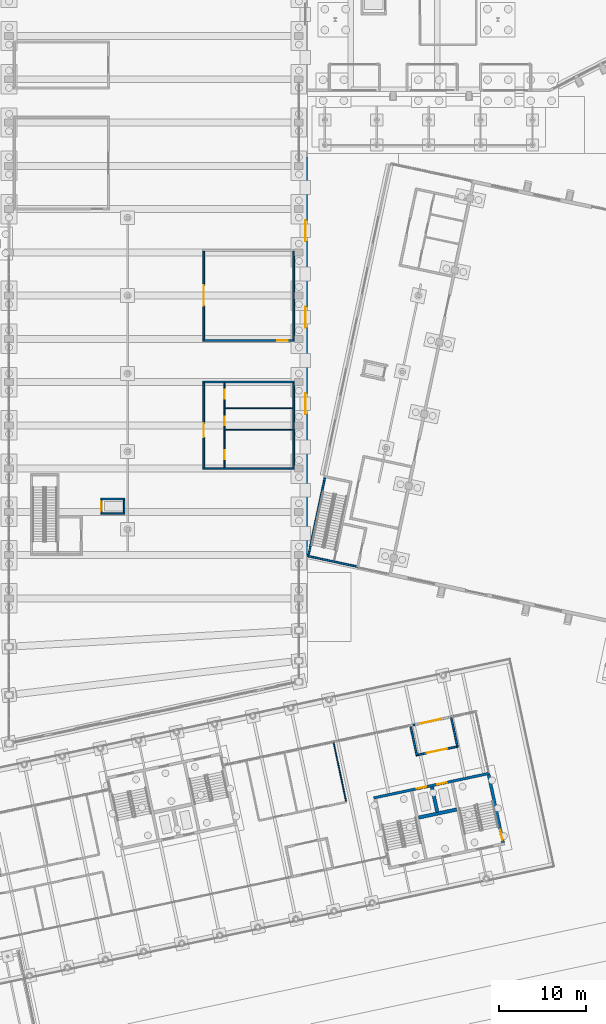
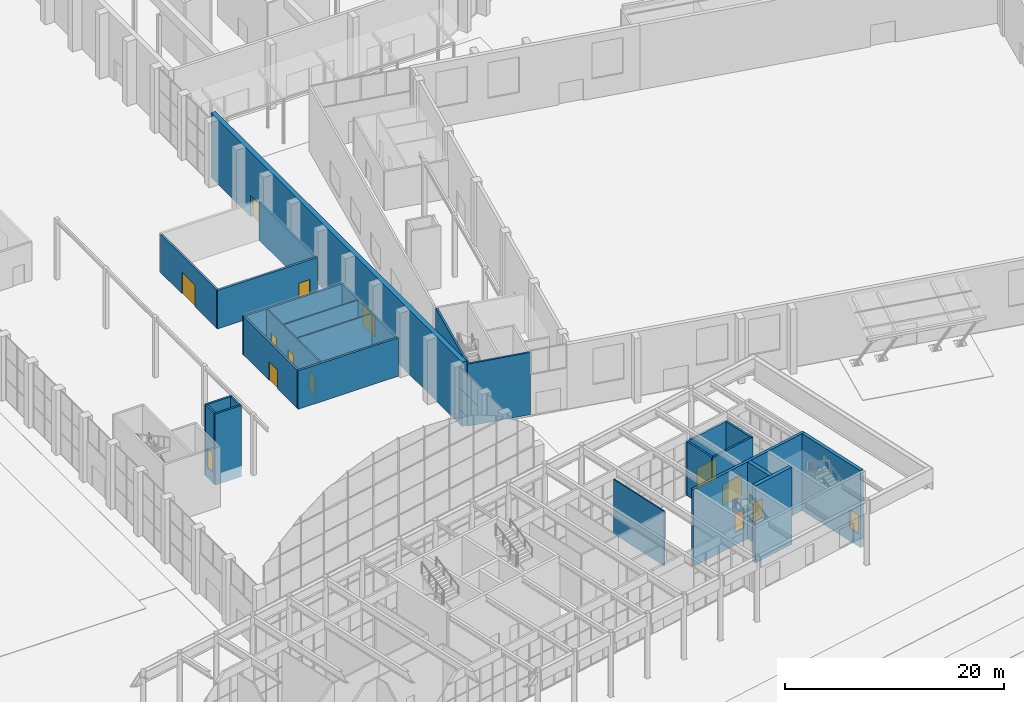
# One storey, part 174 of 239: 26 walls, 15 doors, 15 openings.
"""IFC4 building model written with IfcOpenShell, lengths in metres."""

from ifc_helpers import new_model, si_unit, direction, frame, frame_2d, origin, place, context, subcontext, project, spatial, rectangle, extrude, material, layer, layer_set, type_object, element, fill, save


model = new_model("IFC4")

# Units and contexts
model_context = context("Model", 3, precision=1e-05, world=origin(), true_north=direction((0.0, 1.0)))
body_context = subcontext(model_context, "Body", "Model", "MODEL_VIEW")
ifc_project = project(units=[si_unit("LENGTHUNIT", "METRE"), si_unit("AREAUNIT", "SQUARE_METRE"), si_unit("VOLUMEUNIT", "CUBIC_METRE"), si_unit("PLANEANGLEUNIT", "RADIAN"), si_unit("MASSUNIT", "GRAM", prefix="KILO")], contexts=[model_context])

# Site, building, storey
site_placement = place(None, origin())
site = spatial("IfcSite", under=ifc_project, at=site_placement, CompositionType="ELEMENT")
building_placement = place(site_placement, origin())
building = spatial("IfcBuilding", under=site, at=building_placement, Name="Okhra Congress Centre", CompositionType="ELEMENT")
storey_placement = place(building_placement, origin())
storey = spatial("IfcBuildingStorey", under=building, at=storey_placement, Name="L00", CompositionType="ELEMENT", Elevation=0.0)

# Wall, opening, door
ifc_material_1 = material(Name="Aluminium frame, triple glazing, laminated safety glass", Category="aluminium")
ifc_layer_1 = layer(ifc_material_1, 0.199951171875)
ifc_layer_set_1 = layer_set([ifc_layer_1], Name="Glazed entrance screen 200")
wall_type_1 = type_object("IfcWallType", Name="Glazed entrance screen 200", PredefinedType="SOLIDWALL", material=ifc_layer_set_1)
wall_1_placement = place(storey_placement, frame((201.800537109375, 76.287353515625, 0.0), z_axis=(0.0, 0.0, 1.0), x_axis=(0.978146935828, 0.207914818928, 0.0)))
wall_1 = element("IfcWall", 1, at=wall_1_placement, inside=storey, type_object=wall_type_1, Name="Entrance screen 6", PredefinedType="SOLIDWALL", context=body_context, shape_type="SweptSolid", body=[
    extrude(rectangle(XDim=5.0, YDim=0.199951171875, at=frame_2d((2.5, 0.0))), origin(), (0.0, 0.0, 1.0), 6.050048828125),
])
opening_1_placement = place(wall_1_placement, frame((1.300048828125, 0.0, 0.0)))
opening_1 = element("IfcOpeningElement", 2, at=opening_1_placement, cuts=wall_1, Name="Opening L00-291", PredefinedType="OPENING", context=body_context, shape_type="SweptSolid", body=[
    extrude(rectangle(XDim=2.39990234375, YDim=2.39990234375, at=frame_2d((1.199951171875, 1.199951171875))), frame((0.0, 0.10986328125, 0.0), z_axis=(0.0, -1.0, 0.0), x_axis=(1.0, 0.0, 0.0)), (0.0, 0.0, 1.0), 0.219970703125),
])
ifc_material_2 = material(Name="Aluminium-framed toughened glass sliding leaves, thermally broken", Category="aluminium")
door_type_1 = type_object("IfcDoorType", Name="Automatic sliding glazed door 2400x2400", OperationType="DOUBLE_DOOR_SLIDING", PredefinedType="DOOR", material=ifc_material_2)
door_1_placement = place(opening_1_placement, origin())
door_1 = element("IfcDoor", 3, at=door_1_placement, inside=storey, type_object=door_type_1, Name="Door L00-291", OperationType="DOUBLE_DOOR_SLIDING", OverallHeight=2.39990234375, OverallWidth=2.39990234375, PredefinedType="DOOR", context=body_context, shape_type="SweptSolid", body=[
    extrude(rectangle(XDim=2.39990234375, YDim=2.39990234375, at=frame_2d((1.199951171875, 1.199951171875))), frame((0.0, 0.02490234375, 0.0), z_axis=(0.0, -1.0, 0.0), x_axis=(1.0, 0.0, 0.0)), (0.0, 0.0, 1.0), 0.050048828125),
])
fill(opening_1, door_1)

ifc_layer_2 = layer(ifc_material_1, 0.199951171875)
ifc_layer_set_2 = layer_set([ifc_layer_2], Name="Glazed internal screen 200")
wall_type_2 = type_object("IfcWallType", Name="Glazed internal screen 200", PredefinedType="SOLIDWALL", material=ifc_layer_set_2)
wall_2_placement = place(storey_placement, frame((202.5283203125, 72.86376953125, 0.0), z_axis=(0.0, 0.0, 1.0), x_axis=(0.978146935828, 0.207914818928, 0.0)))
wall_2 = element("IfcWall", 4, at=wall_2_placement, inside=storey, type_object=wall_type_2, Name="Vestibule inner screen 6", PredefinedType="SOLIDWALL", context=body_context, shape_type="SweptSolid", body=[
    extrude(rectangle(XDim=5.0, YDim=0.199951171875, at=frame_2d((2.5, 0.0))), origin(), (0.0, 0.0, 1.0), 6.050048828125),
])
opening_2_placement = place(wall_2_placement, frame((1.300048828125, 0.0, 0.0)))
opening_2 = element("IfcOpeningElement", 5, at=opening_2_placement, cuts=wall_2, Name="Opening L00-292", PredefinedType="OPENING", context=body_context, shape_type="SweptSolid", body=[
    extrude(rectangle(XDim=2.39990234375, YDim=2.39990234375, at=frame_2d((1.199951171875, 1.199951171875))), frame((0.0, 0.10986328125, 0.0), z_axis=(0.0, -1.0, 0.0), x_axis=(1.0, 0.0, 0.0)), (0.0, 0.0, 1.0), 0.219970703125),
])
door_2_placement = place(opening_2_placement, frame((2.39990234375, 0.0, 0.0), z_axis=(0.0, 0.0, 1.0), x_axis=(-1.0, 0.0, 0.0)))
door_2 = element("IfcDoor", 6, at=door_2_placement, inside=storey, type_object=door_type_1, Name="Door L00-292", OperationType="DOUBLE_DOOR_SLIDING", OverallHeight=2.39990234375, OverallWidth=2.39990234375, PredefinedType="DOOR", context=body_context, shape_type="SweptSolid", body=[
    extrude(rectangle(XDim=2.39990234375, YDim=2.39990234375, at=frame_2d((1.199951171875, 1.199951171875))), frame((0.0, 0.02490234375, 0.0), z_axis=(0.0, -1.0, 0.0), x_axis=(1.0, 0.0, 0.0)), (0.0, 0.0, 1.0), 0.050048828125),
])
fill(opening_2, door_2)

# Walls
for number, where, z_axis, x_axis, name in (
    (7, (201.919189453125, 76.210205078125, 0.0), (0.0, 0.0, 1.0), (0.207881084728, -0.978154105758, 0.0), "Vestibule side screen 6a"),
    (8, (206.6142578125, 77.208251953125, 0.0), (0.0, 0.0, 1.0), (0.207881084728, -0.978154105758, 0.0), "Vestibule side screen 6b"),
):
    element("IfcWall", number, at=place(storey_placement, frame(where, z_axis=z_axis, x_axis=x_axis)), inside=storey, type_object=wall_type_2, Name=name, PredefinedType="SOLIDWALL", context=body_context, shape_type="SweptSolid", body=[
        extrude(rectangle(XDim=3.39990234375, YDim=0.199951171875, at=frame_2d((1.699951171875, 0.0))), origin(), (0.0, 0.0, 1.0), 6.050048828125),
    ])
ifc_material_3 = material(Name="Gypsum board on steel studs", Category="steel")
ifc_layer_3 = layer(ifc_material_3, 0.125)
ifc_layer_set_3 = layer_set([ifc_layer_3], Name="Partition 125")
wall_type_3 = type_object("IfcWallType", Name="Partition 125", PredefinedType="PARTITIONING", material=ifc_layer_set_3)
for number, where, z_axis, x_axis, name in (
    (9, (180.46240234375, 110.5, 0.0), (0.0, 0.0, 1.0), (1.0, 0.0, 0.0), "Women's WC partition"),
    (10, (180.46240234375, 113.0, 0.0), (0.0, 0.0, 1.0), (1.0, 0.0, 0.0), "Men's WC partition"),
):
    element("IfcWall", number, at=place(storey_placement, frame(where, z_axis=z_axis, x_axis=x_axis)), inside=storey, type_object=wall_type_3, Name=name, PredefinedType="PARTITIONING", context=body_context, shape_type="SweptSolid", body=[
        extrude(rectangle(XDim=7.837646484375, YDim=0.125, at=frame_2d((3.9189453125, 0.0))), origin(), (0.0, 0.0, 1.0), 4.300048828125),
    ])
wall_3_placement = place(storey_placement, frame((193.01806640625, 74.318115234375, 0.0), z_axis=(0.0, 0.0, 1.0), x_axis=(0.207898812171, -0.978150338086, 0.0)))
element("IfcWall", 11, at=wall_3_placement, inside=storey, type_object=wall_type_3, Name="Room side wall 7b", PredefinedType="PARTITIONING", context=body_context, shape_type="SweptSolid", body=[
    extrude(rectangle(XDim=6.925048828125, YDim=0.125, at=frame_2d((3.46240234375, 0.0))), origin(), (0.0, 0.0, 1.0), 6.10009765625),
])

# Wall, openings, doors
ifc_layer_4 = layer(ifc_material_3, 0.125)
ifc_layer_set_4 = layer_set([ifc_layer_4], Name="Partition 125 EI 15")
wall_type_4 = type_object("IfcWallType", Name="Partition 125 EI 15", PredefinedType="PARTITIONING", material=ifc_layer_set_4)
wall_4_placement = place(storey_placement, frame((180.39990234375, 106.10009765625, 0.0), z_axis=(0.0, 0.0, 1.0), x_axis=(0.0, 1.0, 0.0)))
wall_4 = element("IfcWall", 12, at=wall_4_placement, inside=storey, type_object=wall_type_4, Name="WC lobby partition", PredefinedType="PARTITIONING", context=body_context, shape_type="SweptSolid", body=[
    extrude(rectangle(XDim=9.7998046875, YDim=0.125, at=frame_2d((4.89990234375, 0.0))), origin(), (0.0, 0.0, 1.0), 4.300048828125),
])
opening_3_placement = place(wall_4_placement, frame((1.0, 0.0, 0.0)))
opening_3 = element("IfcOpeningElement", 13, at=opening_3_placement, cuts=wall_4, Name="Opening L00-094", PredefinedType="OPENING", context=body_context, shape_type="SweptSolid", body=[
    extrude(rectangle(XDim=1.0, YDim=2.10009765625, at=frame_2d((0.5, 1.050048828125))), frame((0.0, 0.072509765625, 0.0), z_axis=(0.0, -1.0, 0.0), x_axis=(1.0, 0.0, 0.0)), (0.0, 0.0, 1.0), 0.14501953125),
])
opening_4_placement = place(wall_4_placement, frame((4.89990234375, 0.0, 0.0)))
opening_4 = element("IfcOpeningElement", 14, at=opening_4_placement, cuts=wall_4, Name="Opening L00-095", PredefinedType="OPENING", context=body_context, shape_type="SweptSolid", body=[
    extrude(rectangle(XDim=1.0, YDim=2.10009765625, at=frame_2d((0.5, 1.050048828125))), frame((0.0, 0.072509765625, 0.0), z_axis=(0.0, -1.0, 0.0), x_axis=(1.0, 0.0, 0.0)), (0.0, 0.0, 1.0), 0.14501953125),
])
opening_5_placement = place(wall_4_placement, frame((8.0, 0.0, 0.0)))
opening_5 = element("IfcOpeningElement", 15, at=opening_5_placement, cuts=wall_4, Name="Opening L00-096", PredefinedType="OPENING", context=body_context, shape_type="SweptSolid", body=[
    extrude(rectangle(XDim=1.0, YDim=2.10009765625, at=frame_2d((0.5, 1.050048828125))), frame((0.0, 0.072509765625, 0.0), z_axis=(0.0, -1.0, 0.0), x_axis=(1.0, 0.0, 0.0)), (0.0, 0.0, 1.0), 0.14501953125),
])
ifc_material_4 = material(Name="Timber door leaf in steel frame", Category="steel")
door_type_2 = type_object("IfcDoorType", Name="Single swing door 1000x2100", OperationType="NOTDEFINED", PredefinedType="DOOR", material=ifc_material_4)
door_3_placement = place(opening_3_placement, frame((1.0, 0.0, 0.0), z_axis=(0.0, 0.0, 1.0), x_axis=(-1.0, 0.0, 0.0)))
door_3 = element("IfcDoor", 16, at=door_3_placement, inside=storey, type_object=door_type_2, Name="Women's WC door", OperationType="SINGLE_SWING_RIGHT", OverallHeight=2.10009765625, OverallWidth=1.0, PredefinedType="DOOR", context=body_context, shape_type="SweptSolid", body=[
    extrude(rectangle(XDim=1.0, YDim=2.10009765625, at=frame_2d((0.5, 1.050048828125))), frame((0.0, 0.02490234375, 0.0), z_axis=(0.0, -1.0, 0.0), x_axis=(1.0, 0.0, 0.0)), (0.0, 0.0, 1.0), 0.050048828125),
])
fill(opening_3, door_3)
door_4_placement = place(opening_4_placement, frame((1.0, 0.0, 0.0), z_axis=(0.0, 0.0, 1.0), x_axis=(-1.0, 0.0, 0.0)))
door_4 = element("IfcDoor", 17, at=door_4_placement, inside=storey, type_object=door_type_2, Name="Men's WC door", OperationType="SINGLE_SWING_RIGHT", OverallHeight=2.10009765625, OverallWidth=1.0, PredefinedType="DOOR", context=body_context, shape_type="SweptSolid", body=[
    extrude(rectangle(XDim=1.0, YDim=2.10009765625, at=frame_2d((0.5, 1.050048828125))), frame((0.0, 0.02490234375, 0.0), z_axis=(0.0, -1.0, 0.0), x_axis=(1.0, 0.0, 0.0)), (0.0, 0.0, 1.0), 0.050048828125),
])
fill(opening_4, door_4)
door_5_placement = place(opening_5_placement, frame((1.0, 0.0, 0.0), z_axis=(0.0, 0.0, 1.0), x_axis=(-1.0, 0.0, 0.0)))
door_5 = element("IfcDoor", 18, at=door_5_placement, inside=storey, type_object=door_type_2, Name="Accessible WC door", OperationType="SINGLE_SWING_LEFT", OverallHeight=2.10009765625, OverallWidth=1.0, PredefinedType="DOOR", context=body_context, shape_type="SweptSolid", body=[
    extrude(rectangle(XDim=1.0, YDim=2.10009765625, at=frame_2d((0.5, 1.050048828125))), frame((0.0, 0.02490234375, 0.0), z_axis=(0.0, -1.0, 0.0), x_axis=(1.0, 0.0, 0.0)), (0.0, 0.0, 1.0), 0.050048828125),
])
fill(opening_5, door_5)

ifc_material_5 = material(Name="Concrete C35/45", Category="concrete")
ifc_layer_5 = layer(ifc_material_5, 0.300048828125)
ifc_layer_set_5 = layer_set([ifc_layer_5], Name="RC core wall 300 REI 120 C35/45")
wall_type_5 = type_object("IfcWallType", Name="RC core wall 300 REI 120 C35/45", PredefinedType="SHEAR", material=ifc_layer_set_5)
wall_5_placement = place(storey_placement, frame((197.64501953125, 67.94091796875, -1.39990234375), z_axis=(0.0, 0.0, 1.0), x_axis=(0.978147662755, 0.20791139903, 0.0)))
wall_5 = element("IfcWall", 19, at=wall_5_placement, inside=storey, type_object=wall_type_5, Name="BX.WALL.L00.K5T", PredefinedType="SHEAR", context=body_context, shape_type="SweptSolid", body=[
    extrude(rectangle(XDim=13.699951171875, YDim=0.300048828125, at=frame_2d((6.85009765625, 0.0))), origin(), (0.0, 0.0, 1.0), 8.599853515625),
])
opening_6_placement = place(wall_5_placement, frame((5.10009765625, 0.0, 1.39990234375)))
opening_6 = element("IfcOpeningElement", 20, at=opening_6_placement, cuts=wall_5, Name="Opening L00-274", PredefinedType="OPENING", context=body_context, shape_type="SweptSolid", body=[
    extrude(rectangle(XDim=1.10009765625, YDim=2.10009765625, at=frame_2d((0.550048828125, 1.050048828125))), frame((0.0, 0.159912109375, 0.0), z_axis=(0.0, -1.0, 0.0), x_axis=(1.0, 0.0, 0.0)), (0.0, 0.0, 1.0), 0.320068359375),
])
opening_7_placement = place(wall_5_placement, frame((7.5, 0.0, 1.39990234375)))
opening_7 = element("IfcOpeningElement", 21, at=opening_7_placement, cuts=wall_5, Name="Opening L00-275", PredefinedType="OPENING", context=body_context, shape_type="SweptSolid", body=[
    extrude(rectangle(XDim=1.10009765625, YDim=2.10009765625, at=frame_2d((0.550048828125, 1.050048828125))), frame((0.0, 0.159912109375, 0.0), z_axis=(0.0, -1.0, 0.0), x_axis=(1.0, 0.0, 0.0)), (0.0, 0.0, 1.0), 0.320068359375),
])
ifc_material_6 = material(Name="Stainless steel sliding landing door leaves", Category="steel")
door_type_3 = type_object("IfcDoorType", Name="Lift landing door 1100x2100 EI 30", OperationType="DOUBLE_DOOR_SLIDING", PredefinedType="DOOR", material=ifc_material_6)
door_6_placement = place(opening_6_placement, origin())
door_6 = element("IfcDoor", 22, at=door_6_placement, inside=storey, type_object=door_type_3, Name="Door L00-274", OperationType="DOUBLE_DOOR_SLIDING", OverallHeight=2.10009765625, OverallWidth=1.10009765625, PredefinedType="DOOR", context=body_context, shape_type="SweptSolid", body=[
    extrude(rectangle(XDim=1.10009765625, YDim=2.10009765625, at=frame_2d((0.550048828125, 1.050048828125))), frame((0.0, 0.02490234375, 0.0), z_axis=(0.0, -1.0, 0.0), x_axis=(1.0, 0.0, 0.0)), (0.0, 0.0, 1.0), 0.050048828125),
])
fill(opening_6, door_6)
door_7_placement = place(opening_7_placement, origin())
door_7 = element("IfcDoor", 23, at=door_7_placement, inside=storey, type_object=door_type_3, Name="Door L00-275", OperationType="DOUBLE_DOOR_SLIDING", OverallHeight=2.10009765625, OverallWidth=1.10009765625, PredefinedType="DOOR", context=body_context, shape_type="SweptSolid", body=[
    extrude(rectangle(XDim=1.10009765625, YDim=2.10009765625, at=frame_2d((0.550048828125, 1.050048828125))), frame((0.0, 0.02490234375, 0.0), z_axis=(0.0, -1.0, 0.0), x_axis=(1.0, 0.0, 0.0)), (0.0, 0.0, 1.0), 0.050048828125),
])
fill(opening_7, door_7)

# Walls
ifc_layer_6 = layer(ifc_material_5, 0.39990234375)
ifc_layer_set_6 = layer_set([ifc_layer_6], Name="RC core wall 400 REI 120 C35/45")
wall_type_6 = type_object("IfcWallType", Name="RC core wall 400 REI 120 C35/45", PredefinedType="SHEAR", material=ifc_layer_set_6)
wall_6_placement = place(storey_placement, frame((205.000244140625, 66.283935546875, -1.39990234375), z_axis=(0.0, 0.0, 1.0), x_axis=(-0.207933702079, 0.978142921837, 0.0)))
element("IfcWall", 24, at=wall_6_placement, inside=storey, type_object=wall_type_6, Name="BX.WALL.L00.K5D", PredefinedType="SHEAR", context=body_context, shape_type="SweptSolid", body=[
    extrude(rectangle(XDim=3.0, YDim=0.39990234375, at=frame_2d((1.5, 0.0))), origin(), (0.0, 0.0, 1.0), 8.599853515625),
])
wall_7_placement = place(storey_placement, frame((202.83056640625, 65.66943359375, -1.39990234375), z_axis=(0.0, 0.0, 1.0), x_axis=(0.978149611564, 0.20790223038, 0.0)))
element("IfcWall", 25, at=wall_7_placement, inside=storey, type_object=wall_type_6, Name="BX.WALL.L00.K5R", PredefinedType="SHEAR", context=body_context, shape_type="SweptSolid", body=[
    extrude(rectangle(XDim=4.5, YDim=0.39990234375, at=frame_2d((2.25, 0.0))), origin(), (0.0, 0.0, 1.0), 8.599853515625),
])

# Wall, openings, doors
ifc_material_7 = material(Name="Concrete C30/37", Category="concrete")
ifc_layer_7 = layer(ifc_material_7, 0.5)
ifc_layer_set_7 = layer_set([ifc_layer_7], Name="RC fire wall 500 REI 150 C30/37")
wall_type_7 = type_object("IfcWallType", Name="RC fire wall 500 REI 150 C30/37", PredefinedType="SOLIDWALL", material=ifc_layer_set_7)
wall_8_placement = place(storey_placement, frame((189.75, 96.0, 0.0), z_axis=(0.0, 0.0, 1.0), x_axis=(0.0, 1.0, 0.0)))
wall_8 = element("IfcWall", 26, at=wall_8_placement, inside=storey, type_object=wall_type_7, Name="Fire wall to the ballroom foyer", PredefinedType="SOLIDWALL", context=body_context, shape_type="SweptSolid", body=[
    extrude(rectangle(XDim=46.0, YDim=0.5, at=frame_2d((23.0, 0.0))), origin(), (0.0, 0.0, 1.0), 7.199951171875),
])
opening_8_placement = place(wall_8_placement, frame((16.300048828125, 0.0, 0.0)))
opening_8 = element("IfcOpeningElement", 27, at=opening_8_placement, cuts=wall_8, Name="Opening L00-085", PredefinedType="OPENING", context=body_context, shape_type="SweptSolid", body=[
    extrude(rectangle(XDim=2.39990234375, YDim=2.39990234375, at=frame_2d((1.199951171875, 1.199951171875))), frame((0.0, 0.260009765625, 0.0), z_axis=(0.0, -1.0, 0.0), x_axis=(1.0, 0.0, 0.0)), (0.0, 0.0, 1.0), 0.52001953125),
])
opening_9_placement = place(wall_8_placement, frame((26.300048828125, 0.0, 0.0)))
opening_9 = element("IfcOpeningElement", 28, at=opening_9_placement, cuts=wall_8, Name="Opening L00-086", PredefinedType="OPENING", context=body_context, shape_type="SweptSolid", body=[
    extrude(rectangle(XDim=2.39990234375, YDim=2.39990234375, at=frame_2d((1.199951171875, 1.199951171875))), frame((0.0, 0.260009765625, 0.0), z_axis=(0.0, -1.0, 0.0), x_axis=(1.0, 0.0, 0.0)), (0.0, 0.0, 1.0), 0.52001953125),
])
opening_10_placement = place(wall_8_placement, frame((36.300048828125, 0.0, 0.0)))
opening_10 = element("IfcOpeningElement", 29, at=opening_10_placement, cuts=wall_8, Name="Opening L00-087", PredefinedType="OPENING", context=body_context, shape_type="SweptSolid", body=[
    extrude(rectangle(XDim=2.39990234375, YDim=2.39990234375, at=frame_2d((1.199951171875, 1.199951171875))), frame((0.0, 0.260009765625, 0.0), z_axis=(0.0, -1.0, 0.0), x_axis=(1.0, 0.0, 0.0)), (0.0, 0.0, 1.0), 0.52001953125),
])
ifc_material_8 = material(Name="Steel fire door leaves in steel frame, intumescent seals", Category="steel")
door_type_4 = type_object("IfcDoorType", Name="Steel fire door pair 2400x2400 EI 60", OperationType="NOTDEFINED", PredefinedType="DOOR", material=ifc_material_8)
door_8_placement = place(opening_8_placement, origin())
door_8 = element("IfcDoor", 30, at=door_8_placement, inside=storey, type_object=door_type_4, Name="Fire doors to the ballroom foyer", OperationType="DOUBLE_DOOR_SINGLE_SWING", OverallHeight=2.39990234375, OverallWidth=2.39990234375, PredefinedType="DOOR", context=body_context, shape_type="SweptSolid", body=[
    extrude(rectangle(XDim=2.39990234375, YDim=2.39990234375, at=frame_2d((1.199951171875, 1.199951171875))), frame((0.0, 0.02490234375, 0.0), z_axis=(0.0, -1.0, 0.0), x_axis=(1.0, 0.0, 0.0)), (0.0, 0.0, 1.0), 0.050048828125),
])
fill(opening_8, door_8)
door_9_placement = place(opening_9_placement, origin())
door_9 = element("IfcDoor", 31, at=door_9_placement, inside=storey, type_object=door_type_4, Name="Fire doors to the ballroom foyer", OperationType="DOUBLE_DOOR_SINGLE_SWING", OverallHeight=2.39990234375, OverallWidth=2.39990234375, PredefinedType="DOOR", context=body_context, shape_type="SweptSolid", body=[
    extrude(rectangle(XDim=2.39990234375, YDim=2.39990234375, at=frame_2d((1.199951171875, 1.199951171875))), frame((0.0, 0.02490234375, 0.0), z_axis=(0.0, -1.0, 0.0), x_axis=(1.0, 0.0, 0.0)), (0.0, 0.0, 1.0), 0.050048828125),
])
fill(opening_9, door_9)
door_10_placement = place(opening_10_placement, origin())
door_10 = element("IfcDoor", 32, at=door_10_placement, inside=storey, type_object=door_type_4, Name="Fire doors to the ballroom foyer", OperationType="DOUBLE_DOOR_SINGLE_SWING", OverallHeight=2.39990234375, OverallWidth=2.39990234375, PredefinedType="DOOR", context=body_context, shape_type="SweptSolid", body=[
    extrude(rectangle(XDim=2.39990234375, YDim=2.39990234375, at=frame_2d((1.199951171875, 1.199951171875))), frame((0.0, 0.02490234375, 0.0), z_axis=(0.0, -1.0, 0.0), x_axis=(1.0, 0.0, 0.0)), (0.0, 0.0, 1.0), 0.050048828125),
])
fill(opening_10, door_10)

# Walls
ifc_layer_8 = layer(ifc_material_7, 0.199951171875)
ifc_layer_set_8 = layer_set([ifc_layer_8], Name="RC wall 200 REI 120 C30/37")
wall_type_8 = type_object("IfcWallType", Name="RC wall 200 REI 120 C30/37", PredefinedType="SOLIDWALL", material=ifc_layer_set_8)
for number, where, z_axis, x_axis, name in (
    (33, (177.89990234375, 106.0, 0.0), (0.0, 0.0, 1.0), (1.0, 0.0, 0.0), "WC block south wall"),
    (34, (177.89990234375, 116.0, 0.0), (0.0, 0.0, 1.0), (1.0, 0.0, 0.0), "WC block north wall"),
):
    element("IfcWall", number, at=place(storey_placement, frame(where, z_axis=z_axis, x_axis=x_axis)), inside=storey, type_object=wall_type_8, Name=name, PredefinedType="SOLIDWALL", context=body_context, shape_type="SweptSolid", body=[
        extrude(rectangle(XDim=10.60009765625, YDim=0.199951171875, at=frame_2d((5.300048828125, 0.0))), origin(), (0.0, 0.0, 1.0), 4.300048828125),
    ])

# Wall, opening, door
wall_9_placement = place(storey_placement, frame((178.0, 106.10009765625, 0.0), z_axis=(0.0, 0.0, 1.0), x_axis=(0.0, 1.0, 0.0)))
wall_9 = element("IfcWall", 35, at=wall_9_placement, inside=storey, type_object=wall_type_8, Name="WC block west wall", PredefinedType="SOLIDWALL", context=body_context, shape_type="SweptSolid", body=[
    extrude(rectangle(XDim=9.7998046875, YDim=0.199951171875, at=frame_2d((4.89990234375, 0.0))), origin(), (0.0, 0.0, 1.0), 4.300048828125),
])
opening_11_placement = place(wall_9_placement, frame((3.550048828125, 0.0, 0.0)))
opening_11 = element("IfcOpeningElement", 36, at=opening_11_placement, cuts=wall_9, Name="Opening L00-093", PredefinedType="OPENING", context=body_context, shape_type="SweptSolid", body=[
    extrude(rectangle(XDim=1.60009765625, YDim=2.10009765625, at=frame_2d((0.800048828125, 1.050048828125))), frame((0.0, 0.10986328125, 0.0), z_axis=(0.0, -1.0, 0.0), x_axis=(1.0, 0.0, 0.0)), (0.0, 0.0, 1.0), 0.219970703125),
])
ifc_material_9 = material(Name="Timber door leaves in steel frame", Category="steel")
door_type_5 = type_object("IfcDoorType", Name="Double swing door 1600x2100 EI 30", OperationType="NOTDEFINED", PredefinedType="DOOR", material=ifc_material_9)
door_11_placement = place(opening_11_placement, origin())
door_11 = element("IfcDoor", 37, at=door_11_placement, inside=storey, type_object=door_type_5, Name="WC lobby doors", OperationType="DOUBLE_DOOR_SINGLE_SWING", OverallHeight=2.10009765625, OverallWidth=1.60009765625, PredefinedType="DOOR", context=body_context, shape_type="SweptSolid", body=[
    extrude(rectangle(XDim=1.60009765625, YDim=2.10009765625, at=frame_2d((0.800048828125, 1.050048828125))), frame((0.0, 0.02490234375, 0.0), z_axis=(0.0, -1.0, 0.0), x_axis=(1.0, 0.0, 0.0)), (0.0, 0.0, 1.0), 0.050048828125),
])
fill(opening_11, door_11)

# Wall
wall_10_placement = place(storey_placement, frame((188.39990234375, 106.10009765625, 0.0), z_axis=(0.0, 0.0, 1.0), x_axis=(0.0, 1.0, 0.0)))
element("IfcWall", 38, at=wall_10_placement, inside=storey, type_object=wall_type_8, Name="WC block east wall", PredefinedType="SOLIDWALL", context=body_context, shape_type="SweptSolid", body=[
    extrude(rectangle(XDim=9.7998046875, YDim=0.199951171875, at=frame_2d((4.89990234375, 0.0))), origin(), (0.0, 0.0, 1.0), 4.300048828125),
])

# Wall, opening, door
wall_11_placement = place(storey_placement, frame((177.89990234375, 120.800048828125, 0.0), z_axis=(0.0, 0.0, 1.0), x_axis=(1.0, 0.0, 0.0)))
wall_11 = element("IfcWall", 39, at=wall_11_placement, inside=storey, type_object=wall_type_8, Name="Cafe east south wall", PredefinedType="SOLIDWALL", context=body_context, shape_type="SweptSolid", body=[
    extrude(rectangle(XDim=10.60009765625, YDim=0.199951171875, at=frame_2d((5.300048828125, 0.0))), origin(), (0.0, 0.0, 1.0), 4.300048828125),
])
opening_12_placement = place(wall_11_placement, frame((8.60009765625, 0.0, 0.0)))
opening_12 = element("IfcOpeningElement", 40, at=opening_12_placement, cuts=wall_11, Name="Opening L00-098", PredefinedType="OPENING", context=body_context, shape_type="SweptSolid", body=[
    extrude(rectangle(XDim=1.199951171875, YDim=2.10009765625, at=frame_2d((0.60009765625, 1.050048828125))), frame((0.0, 0.10986328125, 0.0), z_axis=(0.0, -1.0, 0.0), x_axis=(1.0, 0.0, 0.0)), (0.0, 0.0, 1.0), 0.219970703125),
])
door_type_6 = type_object("IfcDoorType", Name="Single swing door 1200x2100", OperationType="NOTDEFINED", PredefinedType="DOOR", material=ifc_material_4)
door_12_placement = place(opening_12_placement, frame((1.199951171875, 0.0, 0.0), z_axis=(0.0, 0.0, 1.0), x_axis=(-1.0, 0.0, 0.0)))
door_12 = element("IfcDoor", 41, at=door_12_placement, inside=storey, type_object=door_type_6, Name="Winter Garden Cafe 1 staff door", OperationType="SINGLE_SWING_LEFT", OverallHeight=2.10009765625, OverallWidth=1.199951171875, PredefinedType="DOOR", context=body_context, shape_type="SweptSolid", body=[
    extrude(rectangle(XDim=1.199951171875, YDim=2.10009765625, at=frame_2d((0.60009765625, 1.050048828125))), frame((0.0, 0.02490234375, 0.0), z_axis=(0.0, -1.0, 0.0), x_axis=(1.0, 0.0, 0.0)), (0.0, 0.0, 1.0), 0.050048828125),
])
fill(opening_12, door_12)

wall_12_placement = place(storey_placement, frame((178.0, 120.89990234375, 0.0), z_axis=(0.0, 0.0, 1.0), x_axis=(0.0, 1.0, 0.0)))
wall_12 = element("IfcWall", 42, at=wall_12_placement, inside=storey, type_object=wall_type_8, Name="Cafe east west wall", PredefinedType="SOLIDWALL", context=body_context, shape_type="SweptSolid", body=[
    extrude(rectangle(XDim=10.2001953125, YDim=0.199951171875, at=frame_2d((5.10009765625, 0.0))), origin(), (0.0, 0.0, 1.0), 4.300048828125),
])
opening_13_placement = place(wall_12_placement, frame((3.89990234375, 0.0, 0.0)))
opening_13 = element("IfcOpeningElement", 43, at=opening_13_placement, cuts=wall_12, Name="Opening L00-097", PredefinedType="OPENING", context=body_context, shape_type="SweptSolid", body=[
    extrude(rectangle(XDim=2.39990234375, YDim=2.39990234375, at=frame_2d((1.199951171875, 1.199951171875))), frame((0.0, 0.10986328125, 0.0), z_axis=(0.0, -1.0, 0.0), x_axis=(1.0, 0.0, 0.0)), (0.0, 0.0, 1.0), 0.219970703125),
])
ifc_material_10 = material(Name="Aluminium-framed toughened glass door leaves", Category="aluminium")
door_type_7 = type_object("IfcDoorType", Name="Aluminium glazed door pair 2400x2400", OperationType="NOTDEFINED", PredefinedType="DOOR", material=ifc_material_10)
door_13_placement = place(opening_13_placement, origin())
door_13 = element("IfcDoor", 44, at=door_13_placement, inside=storey, type_object=door_type_7, Name="Winter Garden Cafe 1 entrance", OperationType="DOUBLE_DOOR_SINGLE_SWING", OverallHeight=2.39990234375, OverallWidth=2.39990234375, PredefinedType="DOOR", context=body_context, shape_type="SweptSolid", body=[
    extrude(rectangle(XDim=2.39990234375, YDim=2.39990234375, at=frame_2d((1.199951171875, 1.199951171875))), frame((0.0, 0.02490234375, 0.0), z_axis=(0.0, -1.0, 0.0), x_axis=(1.0, 0.0, 0.0)), (0.0, 0.0, 1.0), 0.050048828125),
])
fill(opening_13, door_13)

# Walls
wall_13_placement = place(storey_placement, frame((188.39990234375, 120.89990234375, 0.0), z_axis=(0.0, 0.0, 1.0), x_axis=(0.0, 1.0, 0.0)))
element("IfcWall", 45, at=wall_13_placement, inside=storey, type_object=wall_type_8, Name="Cafe east east wall", PredefinedType="SOLIDWALL", context=body_context, shape_type="SweptSolid", body=[
    extrude(rectangle(XDim=10.2001953125, YDim=0.199951171875, at=frame_2d((5.10009765625, 0.0))), origin(), (0.0, 0.0, 1.0), 4.300048828125),
])
wall_14_placement = place(storey_placement, frame((166.10009765625, 100.800048828125, -1.199951171875), z_axis=(0.0, 0.0, 1.0), x_axis=(1.0, 0.0, 0.0)))
element("IfcWall", 46, at=wall_14_placement, inside=storey, type_object=wall_type_8, Name="Gallery lift shaft south wall", PredefinedType="SOLIDWALL", context=body_context, shape_type="SweptSolid", body=[
    extrude(rectangle(XDim=2.7998046875, YDim=0.199951171875, at=frame_2d((1.39990234375, 0.0))), origin(), (0.0, 0.0, 1.0), 7.949951171875),
])

# Wall, opening, door
wall_15_placement = place(storey_placement, frame((166.199951171875, 100.89990234375, -1.199951171875), z_axis=(0.0, 0.0, 1.0), x_axis=(0.0, 1.0, 0.0)))
wall_15 = element("IfcWall", 47, at=wall_15_placement, inside=storey, type_object=wall_type_8, Name="Gallery lift shaft landing wall", PredefinedType="SOLIDWALL", context=body_context, shape_type="SweptSolid", body=[
    extrude(rectangle(XDim=1.5, YDim=0.199951171875, at=frame_2d((0.75, 0.0))), origin(), (0.0, 0.0, 1.0), 7.949951171875),
])
opening_14_placement = place(wall_15_placement, frame((0.25, 0.0, 1.199951171875)))
opening_14 = element("IfcOpeningElement", 48, at=opening_14_placement, cuts=wall_15, Name="Opening L00-104", PredefinedType="OPENING", context=body_context, shape_type="SweptSolid", body=[
    extrude(rectangle(XDim=1.0, YDim=2.10009765625, at=frame_2d((0.5, 1.050048828125))), frame((0.0, 0.10986328125, 0.0), z_axis=(0.0, -1.0, 0.0), x_axis=(1.0, 0.0, 0.0)), (0.0, 0.0, 1.0), 0.219970703125),
])
door_type_8 = type_object("IfcDoorType", Name="Lift landing door 1000x2100 EI 30", OperationType="DOUBLE_DOOR_SLIDING", PredefinedType="DOOR", material=ifc_material_6)
door_14_placement = place(opening_14_placement, origin())
door_14 = element("IfcDoor", 49, at=door_14_placement, inside=storey, type_object=door_type_8, Name="Gallery lift landing door", OperationType="DOUBLE_DOOR_SLIDING", OverallHeight=2.10009765625, OverallWidth=1.0, PredefinedType="DOOR", context=body_context, shape_type="SweptSolid", body=[
    extrude(rectangle(XDim=1.0, YDim=2.10009765625, at=frame_2d((0.5, 1.050048828125))), frame((0.0, 0.02490234375, 0.0), z_axis=(0.0, -1.0, 0.0), x_axis=(1.0, 0.0, 0.0)), (0.0, 0.0, 1.0), 0.050048828125),
])
fill(opening_14, door_14)

# Walls
wall_16_placement = place(storey_placement, frame((166.10009765625, 102.5, -1.199951171875), z_axis=(0.0, 0.0, 1.0), x_axis=(1.0, 0.0, 0.0)))
element("IfcWall", 50, at=wall_16_placement, inside=storey, type_object=wall_type_8, Name="Gallery lift shaft north wall", PredefinedType="SOLIDWALL", context=body_context, shape_type="SweptSolid", body=[
    extrude(rectangle(XDim=2.7998046875, YDim=0.199951171875, at=frame_2d((1.39990234375, 0.0))), origin(), (0.0, 0.0, 1.0), 7.949951171875),
])
wall_17_placement = place(storey_placement, frame((168.800048828125, 100.89990234375, -1.199951171875), z_axis=(0.0, 0.0, 1.0), x_axis=(0.0, 1.0, 0.0)))
element("IfcWall", 51, at=wall_17_placement, inside=storey, type_object=wall_type_8, Name="Gallery lift shaft east wall", PredefinedType="SOLIDWALL", context=body_context, shape_type="SweptSolid", body=[
    extrude(rectangle(XDim=1.5, YDim=0.199951171875, at=frame_2d((0.75, 0.0))), origin(), (0.0, 0.0, 1.0), 7.949951171875),
])
wall_18_placement = place(storey_placement, frame((189.979248046875, 95.902099609375, 0.0), z_axis=(0.0, 0.0, 1.0), x_axis=(0.978148901478, -0.207905571204, 0.0)))
element("IfcWall", 52, at=wall_18_placement, inside=storey, type_object=wall_type_8, Name="Gallery stair cell and lobby south wall L00", PredefinedType="SOLIDWALL", context=body_context, shape_type="SweptSolid", body=[
    extrude(rectangle(XDim=6.0498046875, YDim=0.199951171875, at=frame_2d((3.02490234375, 0.0))), origin(), (0.0, 0.0, 1.0), 6.949951171875),
])
wall_19_placement = place(storey_placement, frame((190.076904296875, 95.88134765625, 0.0), z_axis=(0.0, 0.0, 1.0), x_axis=(0.207909931549, 0.978147974676, 0.0)))
element("IfcWall", 53, at=wall_19_placement, inside=storey, type_object=wall_type_8, Name="Gallery stair cell west wall L00", PredefinedType="SOLIDWALL", context=body_context, shape_type="SweptSolid", body=[
    extrude(rectangle(XDim=9.300048828125, YDim=0.199951171875, at=frame_2d((4.64990234375, 0.0))), origin(), (0.0, 0.0, 1.0), 6.949951171875),
])

# Wall, opening, door
ifc_layer_9 = layer(ifc_material_7, 0.35009765625)
ifc_layer_set_9 = layer_set([ifc_layer_9], Name="RC wall 350 REI 120 C30/37")
wall_type_9 = type_object("IfcWallType", Name="RC wall 350 REI 120 C30/37", PredefinedType="SOLIDWALL", material=ifc_layer_set_9)
wall_20_placement = place(storey_placement, frame((212.593505859375, 62.7861328125, -1.39990234375), z_axis=(0.0, 0.0, 1.0), x_axis=(-0.207915693476, 0.978146749934, 0.0)))
wall_20 = element("IfcWall", 54, at=wall_20_placement, inside=storey, type_object=wall_type_9, Name="BX.WALL.L00.K5E", PredefinedType="SOLIDWALL", context=body_context, shape_type="SweptSolid", body=[
    extrude(rectangle(XDim=8.0, YDim=0.35009765625, at=frame_2d((4.0, 0.0))), origin(), (0.0, 0.0, 1.0), 8.599853515625),
])
opening_15_placement = place(wall_20_placement, frame((0.300048828125, 0.0, 1.39990234375)))
opening_15 = element("IfcOpeningElement", 55, at=opening_15_placement, cuts=wall_20, Name="Opening L00-277", PredefinedType="OPENING", context=body_context, shape_type="SweptSolid", body=[
    extrude(rectangle(XDim=1.199951171875, YDim=2.10009765625, at=frame_2d((0.60009765625, 1.050048828125))), frame((0.0, 0.18505859375, 0.0), z_axis=(0.0, -1.0, 0.0), x_axis=(1.0, 0.0, 0.0)), (0.0, 0.0, 1.0), 0.3701171875),
])
ifc_material_11 = material(Name="Steel fire door leaf in steel frame, intumescent seals", Category="steel")
door_type_9 = type_object("IfcDoorType", Name="Steel fire door 1200x2100 EI 30", OperationType="NOTDEFINED", PredefinedType="DOOR", material=ifc_material_11)
door_15_placement = place(opening_15_placement, frame((1.199951171875, 0.0, 0.0), z_axis=(0.0, 0.0, 1.0), x_axis=(-1.0, 0.0, 0.0)))
door_15 = element("IfcDoor", 56, at=door_15_placement, inside=storey, type_object=door_type_9, Name="Door L00-277", OperationType="SINGLE_SWING_LEFT", OverallHeight=2.10009765625, OverallWidth=1.199951171875, PredefinedType="DOOR", context=body_context, shape_type="SweptSolid", body=[
    extrude(rectangle(XDim=1.199951171875, YDim=2.10009765625, at=frame_2d((0.60009765625, 1.050048828125))), frame((0.0, 0.02490234375, 0.0), z_axis=(0.0, -1.0, 0.0), x_axis=(1.0, 0.0, 0.0)), (0.0, 0.0, 1.0), 0.050048828125),
])
fill(opening_15, door_15)

save(model, "model.ifc")
